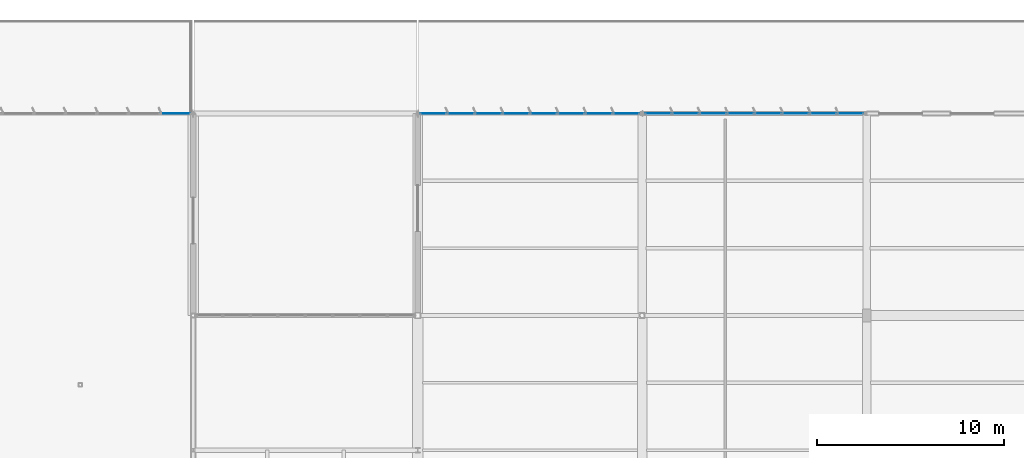
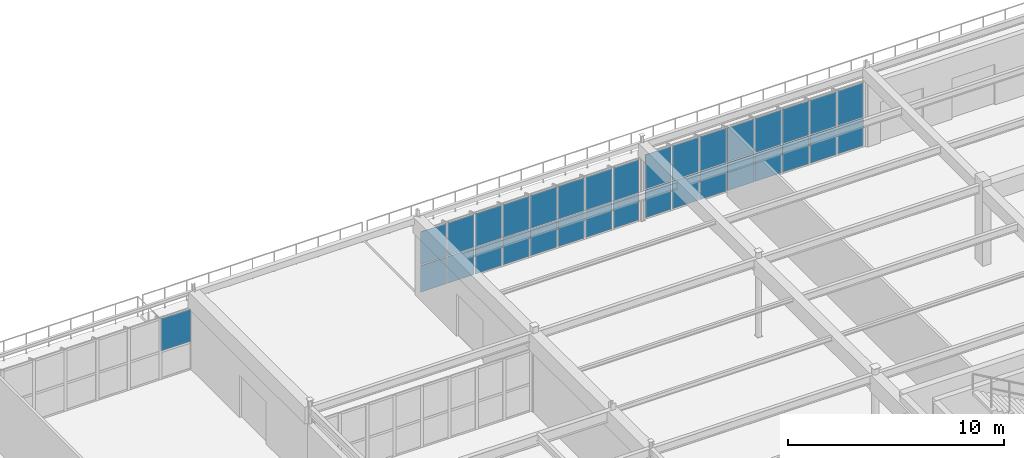
# One storey, part 129 of 199: 33 plates, 3 elements without a shape of their own.
"""IFC4 building model written with IfcOpenShell, lengths in metres."""

from ifc_helpers import new_model, si_unit, direction, frame, origin, origin_2d, place, context, subcontext, project, spatial, rectangle, extrude, material, layer, layer_set, type_object, element, aggregate, save


model = new_model("IFC4")

# Units and contexts
model_context = context("Model", 3, precision=1e-05, world=origin(), true_north=direction((0.0, 1.0)))
body_context = subcontext(model_context, "Body", "Model", "MODEL_VIEW")
ifc_project = project(units=[si_unit("LENGTHUNIT", "METRE"), si_unit("AREAUNIT", "SQUARE_METRE"), si_unit("VOLUMEUNIT", "CUBIC_METRE"), si_unit("PLANEANGLEUNIT", "RADIAN"), si_unit("MASSUNIT", "GRAM", prefix="KILO")], contexts=[model_context])

# Site, building, storey
site_placement = place(None, origin())
site = spatial("IfcSite", under=ifc_project, at=site_placement, CompositionType="ELEMENT")
building_placement = place(site_placement, origin())
building = spatial("IfcBuilding", under=site, at=building_placement, Name="Tarnwether General Hospital", CompositionType="ELEMENT")
storey_placement = place(building_placement, origin())
storey = spatial("IfcBuildingStorey", under=building, at=storey_placement, Name="L00", CompositionType="ELEMENT", Elevation=0.0)

# Curtain wall, plate
ifc_material_1 = material(Name="Anodised aluminium", Category="aluminium")
ifc_layer_1 = layer(ifc_material_1, 0.159912109375)
ifc_layer_set_1 = layer_set([ifc_layer_1], Name="Anodised aluminium")
curtain_wall_type_1 = type_object("IfcCurtainWallType", Name="CW-14", PredefinedType="NOTDEFINED", material=ifc_layer_set_1)
curtain_wall_1_placement = place(storey_placement, origin())
curtain_wall_1 = element("IfcCurtainWall", 1, at=curtain_wall_1_placement, inside=storey, type_object=curtain_wall_type_1, Name="Curtain Wall CWG-L00-1201_1260-0277", PredefinedType="NOTDEFINED")
ifc_material_2 = material(Name="Double glazed low-E glass", Category="glass")
ifc_layer_2 = layer(ifc_material_2, 0.028076171875)
ifc_layer_set_2 = layer_set([ifc_layer_2], Name="Double glazed low-E glass")
plate_type = type_object("IfcPlateType", Name="PT-CWP1", PredefinedType="CURTAIN_PANEL", material=ifc_layer_set_2)
plate_1_placement = place(storey_placement, frame((131.052978515625, 126.0, 1.59619140625), z_axis=(0.0, 0.0, 1.0), x_axis=(1.0, 0.0, 0.0)))
plate_1 = element("IfcPlate", 2, at=plate_1_placement, type_object=plate_type, Name="CW-14 panel 7.2", PredefinedType="CURTAIN_PANEL", context=body_context, shape_type="SweptSolid", body=[
    extrude(rectangle(XDim=1.60009765625, YDim=0.028076171875, at=origin_2d()), origin(), (0.0, 0.0, 1.0), 1.823974609375),
])
aggregate(curtain_wall_1, [plate_1])

# Curtain wall, plates
ifc_material_3 = material(Name="Anodised aluminium", Category="aluminium")
ifc_layer_3 = layer(ifc_material_3, 0.159912109375)
ifc_layer_set_3 = layer_set([ifc_layer_3], Name="Anodised aluminium")
curtain_wall_type_2 = type_object("IfcCurtainWallType", Name="CW-16", PredefinedType="NOTDEFINED", material=ifc_layer_set_3)
curtain_wall_2_placement = place(storey_placement, origin())
curtain_wall_2 = element("IfcCurtainWall", 3, at=curtain_wall_2_placement, inside=storey, type_object=curtain_wall_type_2, Name="Curtain Wall CWG-L00-1441_1260-0278", PredefinedType="NOTDEFINED")
plate_2_placement = place(storey_placement, frame((144.837158203125, 126.0, 0.06005859375), z_axis=(0.0, 0.0, 1.0), x_axis=(1.0, 0.0, 0.0)))
plate_2 = element("IfcPlate", 4, at=plate_2_placement, type_object=plate_type, Name="CW-16 panel 1.1", PredefinedType="CURTAIN_PANEL", context=body_context, shape_type="SweptSolid", body=[
    extrude(rectangle(XDim=1.386474609375, YDim=0.028076171875, at=origin_2d()), origin(), (0.0, 0.0, 1.0), 1.49853515625),
])
plate_3_placement = place(storey_placement, frame((144.837158203125, 126.0, 1.618408203125), z_axis=(0.0, 0.0, 1.0), x_axis=(1.0, 0.0, 0.0)))
plate_3 = element("IfcPlate", 5, at=plate_3_placement, type_object=plate_type, Name="CW-16 panel 1.2", PredefinedType="CURTAIN_PANEL", context=body_context, shape_type="SweptSolid", body=[
    extrude(rectangle(XDim=1.386474609375, YDim=0.028076171875, at=origin_2d()), origin(), (0.0, 0.0, 1.0), 1.8515625),
])
plate_4_placement = place(storey_placement, frame((146.298583984375, 126.0, 0.06005859375), z_axis=(0.0, 0.0, 1.0), x_axis=(1.0, 0.0, 0.0)))
plate_4 = element("IfcPlate", 6, at=plate_4_placement, type_object=plate_type, Name="CW-16 panel 2.1", PredefinedType="CURTAIN_PANEL", context=body_context, shape_type="SweptSolid", body=[
    extrude(rectangle(XDim=1.416259765625, YDim=0.028076171875, at=origin_2d()), origin(), (0.0, 0.0, 1.0), 1.49853515625),
])
plate_5_placement = place(storey_placement, frame((146.298583984375, 126.0, 1.618408203125), z_axis=(0.0, 0.0, 1.0), x_axis=(1.0, 0.0, 0.0)))
plate_5 = element("IfcPlate", 7, at=plate_5_placement, type_object=plate_type, Name="CW-16 panel 2.2", PredefinedType="CURTAIN_PANEL", context=body_context, shape_type="SweptSolid", body=[
    extrude(rectangle(XDim=1.416259765625, YDim=0.028076171875, at=origin_2d()), origin(), (0.0, 0.0, 1.0), 1.8515625),
])
plate_6_placement = place(storey_placement, frame((147.77490234375, 126.0, 0.06005859375), z_axis=(0.0, 0.0, 1.0), x_axis=(1.0, 0.0, 0.0)))
plate_6 = element("IfcPlate", 8, at=plate_6_placement, type_object=plate_type, Name="CW-16 panel 3.1", PredefinedType="CURTAIN_PANEL", context=body_context, shape_type="SweptSolid", body=[
    extrude(rectangle(XDim=1.416259765625, YDim=0.028076171875, at=origin_2d()), origin(), (0.0, 0.0, 1.0), 1.49853515625),
])
plate_7_placement = place(storey_placement, frame((147.77490234375, 126.0, 1.618408203125), z_axis=(0.0, 0.0, 1.0), x_axis=(1.0, 0.0, 0.0)))
plate_7 = element("IfcPlate", 9, at=plate_7_placement, type_object=plate_type, Name="CW-16 panel 3.2", PredefinedType="CURTAIN_PANEL", context=body_context, shape_type="SweptSolid", body=[
    extrude(rectangle(XDim=1.416259765625, YDim=0.028076171875, at=origin_2d()), origin(), (0.0, 0.0, 1.0), 1.8515625),
])
plate_8_placement = place(storey_placement, frame((149.251220703125, 126.0, 0.06005859375), z_axis=(0.0, 0.0, 1.0), x_axis=(1.0, 0.0, 0.0)))
plate_8 = element("IfcPlate", 10, at=plate_8_placement, type_object=plate_type, Name="CW-16 panel 4.1", PredefinedType="CURTAIN_PANEL", context=body_context, shape_type="SweptSolid", body=[
    extrude(rectangle(XDim=1.416259765625, YDim=0.028076171875, at=origin_2d()), origin(), (0.0, 0.0, 1.0), 1.49853515625),
])
plate_9_placement = place(storey_placement, frame((149.251220703125, 126.0, 1.618408203125), z_axis=(0.0, 0.0, 1.0), x_axis=(1.0, 0.0, 0.0)))
plate_9 = element("IfcPlate", 11, at=plate_9_placement, type_object=plate_type, Name="CW-16 panel 4.2", PredefinedType="CURTAIN_PANEL", context=body_context, shape_type="SweptSolid", body=[
    extrude(rectangle(XDim=1.416259765625, YDim=0.028076171875, at=origin_2d()), origin(), (0.0, 0.0, 1.0), 1.8515625),
])
plate_10_placement = place(storey_placement, frame((150.727783203125, 126.0, 0.06005859375), z_axis=(0.0, 0.0, 1.0), x_axis=(1.0, 0.0, 0.0)))
plate_10 = element("IfcPlate", 12, at=plate_10_placement, type_object=plate_type, Name="CW-16 panel 5.1", PredefinedType="CURTAIN_PANEL", context=body_context, shape_type="SweptSolid", body=[
    extrude(rectangle(XDim=1.416259765625, YDim=0.028076171875, at=origin_2d()), origin(), (0.0, 0.0, 1.0), 1.49853515625),
])
plate_11_placement = place(storey_placement, frame((150.727783203125, 126.0, 1.618408203125), z_axis=(0.0, 0.0, 1.0), x_axis=(1.0, 0.0, 0.0)))
plate_11 = element("IfcPlate", 13, at=plate_11_placement, type_object=plate_type, Name="CW-16 panel 5.2", PredefinedType="CURTAIN_PANEL", context=body_context, shape_type="SweptSolid", body=[
    extrude(rectangle(XDim=1.416259765625, YDim=0.028076171875, at=origin_2d()), origin(), (0.0, 0.0, 1.0), 1.8515625),
])
plate_12_placement = place(storey_placement, frame((152.2041015625, 126.0, 0.06005859375), z_axis=(0.0, 0.0, 1.0), x_axis=(1.0, 0.0, 0.0)))
plate_12 = element("IfcPlate", 14, at=plate_12_placement, type_object=plate_type, Name="CW-16 panel 6.1", PredefinedType="CURTAIN_PANEL", context=body_context, shape_type="SweptSolid", body=[
    extrude(rectangle(XDim=1.416259765625, YDim=0.028076171875, at=origin_2d()), origin(), (0.0, 0.0, 1.0), 1.49853515625),
])
plate_13_placement = place(storey_placement, frame((152.2041015625, 126.0, 1.618408203125), z_axis=(0.0, 0.0, 1.0), x_axis=(1.0, 0.0, 0.0)))
plate_13 = element("IfcPlate", 15, at=plate_13_placement, type_object=plate_type, Name="CW-16 panel 6.2", PredefinedType="CURTAIN_PANEL", context=body_context, shape_type="SweptSolid", body=[
    extrude(rectangle(XDim=1.416259765625, YDim=0.028076171875, at=origin_2d()), origin(), (0.0, 0.0, 1.0), 1.8515625),
])
plate_14_placement = place(storey_placement, frame((153.680419921875, 126.0, 0.06005859375), z_axis=(0.0, 0.0, 1.0), x_axis=(1.0, 0.0, 0.0)))
plate_14 = element("IfcPlate", 16, at=plate_14_placement, type_object=plate_type, Name="CW-16 panel 7.1", PredefinedType="CURTAIN_PANEL", context=body_context, shape_type="SweptSolid", body=[
    extrude(rectangle(XDim=1.416259765625, YDim=0.028076171875, at=origin_2d()), origin(), (0.0, 0.0, 1.0), 1.49853515625),
])
plate_15_placement = place(storey_placement, frame((153.680419921875, 126.0, 1.618408203125), z_axis=(0.0, 0.0, 1.0), x_axis=(1.0, 0.0, 0.0)))
plate_15 = element("IfcPlate", 17, at=plate_15_placement, type_object=plate_type, Name="CW-16 panel 7.2", PredefinedType="CURTAIN_PANEL", context=body_context, shape_type="SweptSolid", body=[
    extrude(rectangle(XDim=1.416259765625, YDim=0.028076171875, at=origin_2d()), origin(), (0.0, 0.0, 1.0), 1.8515625),
])
plate_16_placement = place(storey_placement, frame((155.141845703125, 126.0, 0.06005859375), z_axis=(0.0, 0.0, 1.0), x_axis=(1.0, 0.0, 0.0)))
plate_16 = element("IfcPlate", 18, at=plate_16_placement, type_object=plate_type, Name="CW-16 panel 8.1", PredefinedType="CURTAIN_PANEL", context=body_context, shape_type="SweptSolid", body=[
    extrude(rectangle(XDim=1.386474609375, YDim=0.028076171875, at=origin_2d()), origin(), (0.0, 0.0, 1.0), 1.49853515625),
])
plate_17_placement = place(storey_placement, frame((155.141845703125, 126.0, 1.618408203125), z_axis=(0.0, 0.0, 1.0), x_axis=(1.0, 0.0, 0.0)))
plate_17 = element("IfcPlate", 19, at=plate_17_placement, type_object=plate_type, Name="CW-16 panel 8.2", PredefinedType="CURTAIN_PANEL", context=body_context, shape_type="SweptSolid", body=[
    extrude(rectangle(XDim=1.386474609375, YDim=0.028076171875, at=origin_2d()), origin(), (0.0, 0.0, 1.0), 1.8515625),
])
aggregate(curtain_wall_2, [plate_2, plate_3, plate_4, plate_5, plate_6, plate_7, plate_8, plate_9, plate_10, plate_11, plate_12, plate_13, plate_14, plate_15, plate_16, plate_17])

curtain_wall_3_placement = place(storey_placement, origin())
curtain_wall_3 = element("IfcCurtainWall", 20, at=curtain_wall_3_placement, inside=storey, type_object=curtain_wall_type_2, Name="Curtain Wall CWG-L00-1561_1260-0279", PredefinedType="NOTDEFINED")
plate_18_placement = place(storey_placement, frame((156.856689453125, 126.0, 0.06005859375), z_axis=(0.0, 0.0, 1.0), x_axis=(1.0, 0.0, 0.0)))
plate_18 = element("IfcPlate", 21, at=plate_18_placement, type_object=plate_type, Name="CW-16 panel 1.1", PredefinedType="CURTAIN_PANEL", context=body_context, shape_type="SweptSolid", body=[
    extrude(rectangle(XDim=1.38330078125, YDim=0.028076171875, at=origin_2d()), origin(), (0.0, 0.0, 1.0), 1.56591796875),
])
plate_19_placement = place(storey_placement, frame((156.856689453125, 126.0, 1.68603515625), z_axis=(0.0, 0.0, 1.0), x_axis=(1.0, 0.0, 0.0)))
plate_19 = element("IfcPlate", 22, at=plate_19_placement, type_object=plate_type, Name="CW-16 panel 1.2", PredefinedType="CURTAIN_PANEL", context=body_context, shape_type="SweptSolid", body=[
    extrude(rectangle(XDim=1.38330078125, YDim=0.028076171875, at=origin_2d()), origin(), (0.0, 0.0, 1.0), 1.93408203125),
])
plate_20_placement = place(storey_placement, frame((158.31494140625, 126.0, 0.06005859375), z_axis=(0.0, 0.0, 1.0), x_axis=(1.0, 0.0, 0.0)))
plate_20 = element("IfcPlate", 23, at=plate_20_placement, type_object=plate_type, Name="CW-16 panel 2.1", PredefinedType="CURTAIN_PANEL", context=body_context, shape_type="SweptSolid", body=[
    extrude(rectangle(XDim=1.413330078125, YDim=0.028076171875, at=origin_2d()), origin(), (0.0, 0.0, 1.0), 1.56591796875),
])
plate_21_placement = place(storey_placement, frame((158.31494140625, 126.0, 1.68603515625), z_axis=(0.0, 0.0, 1.0), x_axis=(1.0, 0.0, 0.0)))
plate_21 = element("IfcPlate", 24, at=plate_21_placement, type_object=plate_type, Name="CW-16 panel 2.2", PredefinedType="CURTAIN_PANEL", context=body_context, shape_type="SweptSolid", body=[
    extrude(rectangle(XDim=1.413330078125, YDim=0.028076171875, at=origin_2d()), origin(), (0.0, 0.0, 1.0), 1.93408203125),
])
plate_22_placement = place(storey_placement, frame((159.7880859375, 126.0, 0.06005859375), z_axis=(0.0, 0.0, 1.0), x_axis=(1.0, 0.0, 0.0)))
plate_22 = element("IfcPlate", 25, at=plate_22_placement, type_object=plate_type, Name="CW-16 panel 3.1", PredefinedType="CURTAIN_PANEL", context=body_context, shape_type="SweptSolid", body=[
    extrude(rectangle(XDim=1.413330078125, YDim=0.028076171875, at=origin_2d()), origin(), (0.0, 0.0, 1.0), 1.56591796875),
])
plate_23_placement = place(storey_placement, frame((159.7880859375, 126.0, 1.68603515625), z_axis=(0.0, 0.0, 1.0), x_axis=(1.0, 0.0, 0.0)))
plate_23 = element("IfcPlate", 26, at=plate_23_placement, type_object=plate_type, Name="CW-16 panel 3.2", PredefinedType="CURTAIN_PANEL", context=body_context, shape_type="SweptSolid", body=[
    extrude(rectangle(XDim=1.413330078125, YDim=0.028076171875, at=origin_2d()), origin(), (0.0, 0.0, 1.0), 1.93408203125),
])
plate_24_placement = place(storey_placement, frame((161.261474609375, 126.0, 0.06005859375), z_axis=(0.0, 0.0, 1.0), x_axis=(1.0, 0.0, 0.0)))
plate_24 = element("IfcPlate", 27, at=plate_24_placement, type_object=plate_type, Name="CW-16 panel 4.1", PredefinedType="CURTAIN_PANEL", context=body_context, shape_type="SweptSolid", body=[
    extrude(rectangle(XDim=1.413330078125, YDim=0.028076171875, at=origin_2d()), origin(), (0.0, 0.0, 1.0), 1.56591796875),
])
plate_25_placement = place(storey_placement, frame((161.261474609375, 126.0, 1.68603515625), z_axis=(0.0, 0.0, 1.0), x_axis=(1.0, 0.0, 0.0)))
plate_25 = element("IfcPlate", 28, at=plate_25_placement, type_object=plate_type, Name="CW-16 panel 4.2", PredefinedType="CURTAIN_PANEL", context=body_context, shape_type="SweptSolid", body=[
    extrude(rectangle(XDim=1.413330078125, YDim=0.028076171875, at=origin_2d()), origin(), (0.0, 0.0, 1.0), 1.93408203125),
])
plate_26_placement = place(storey_placement, frame((162.734619140625, 126.0, 0.06005859375), z_axis=(0.0, 0.0, 1.0), x_axis=(1.0, 0.0, 0.0)))
plate_26 = element("IfcPlate", 29, at=plate_26_placement, type_object=plate_type, Name="CW-16 panel 5.1", PredefinedType="CURTAIN_PANEL", context=body_context, shape_type="SweptSolid", body=[
    extrude(rectangle(XDim=1.413330078125, YDim=0.028076171875, at=origin_2d()), origin(), (0.0, 0.0, 1.0), 1.56591796875),
])
plate_27_placement = place(storey_placement, frame((162.734619140625, 126.0, 1.68603515625), z_axis=(0.0, 0.0, 1.0), x_axis=(1.0, 0.0, 0.0)))
plate_27 = element("IfcPlate", 30, at=plate_27_placement, type_object=plate_type, Name="CW-16 panel 5.2", PredefinedType="CURTAIN_PANEL", context=body_context, shape_type="SweptSolid", body=[
    extrude(rectangle(XDim=1.413330078125, YDim=0.028076171875, at=origin_2d()), origin(), (0.0, 0.0, 1.0), 1.93408203125),
])
plate_28_placement = place(storey_placement, frame((164.207763671875, 126.0, 0.06005859375), z_axis=(0.0, 0.0, 1.0), x_axis=(1.0, 0.0, 0.0)))
plate_28 = element("IfcPlate", 31, at=plate_28_placement, type_object=plate_type, Name="CW-16 panel 6.1", PredefinedType="CURTAIN_PANEL", context=body_context, shape_type="SweptSolid", body=[
    extrude(rectangle(XDim=1.413330078125, YDim=0.028076171875, at=origin_2d()), origin(), (0.0, 0.0, 1.0), 1.56591796875),
])
plate_29_placement = place(storey_placement, frame((164.207763671875, 126.0, 1.68603515625), z_axis=(0.0, 0.0, 1.0), x_axis=(1.0, 0.0, 0.0)))
plate_29 = element("IfcPlate", 32, at=plate_29_placement, type_object=plate_type, Name="CW-16 panel 6.2", PredefinedType="CURTAIN_PANEL", context=body_context, shape_type="SweptSolid", body=[
    extrude(rectangle(XDim=1.413330078125, YDim=0.028076171875, at=origin_2d()), origin(), (0.0, 0.0, 1.0), 1.93408203125),
])
plate_30_placement = place(storey_placement, frame((165.68115234375, 126.0, 0.06005859375), z_axis=(0.0, 0.0, 1.0), x_axis=(1.0, 0.0, 0.0)))
plate_30 = element("IfcPlate", 33, at=plate_30_placement, type_object=plate_type, Name="CW-16 panel 7.1", PredefinedType="CURTAIN_PANEL", context=body_context, shape_type="SweptSolid", body=[
    extrude(rectangle(XDim=1.413330078125, YDim=0.028076171875, at=origin_2d()), origin(), (0.0, 0.0, 1.0), 1.56591796875),
])
plate_31_placement = place(storey_placement, frame((165.68115234375, 126.0, 1.68603515625), z_axis=(0.0, 0.0, 1.0), x_axis=(1.0, 0.0, 0.0)))
plate_31 = element("IfcPlate", 34, at=plate_31_placement, type_object=plate_type, Name="CW-16 panel 7.2", PredefinedType="CURTAIN_PANEL", context=body_context, shape_type="SweptSolid", body=[
    extrude(rectangle(XDim=1.413330078125, YDim=0.028076171875, at=origin_2d()), origin(), (0.0, 0.0, 1.0), 1.93408203125),
])
plate_32_placement = place(storey_placement, frame((167.139404296875, 126.0, 0.06005859375), z_axis=(0.0, 0.0, 1.0), x_axis=(1.0, 0.0, 0.0)))
plate_32 = element("IfcPlate", 35, at=plate_32_placement, type_object=plate_type, Name="CW-16 panel 8.1", PredefinedType="CURTAIN_PANEL", context=body_context, shape_type="SweptSolid", body=[
    extrude(rectangle(XDim=1.38330078125, YDim=0.028076171875, at=origin_2d()), origin(), (0.0, 0.0, 1.0), 1.56591796875),
])
plate_33_placement = place(storey_placement, frame((167.139404296875, 126.0, 1.68603515625), z_axis=(0.0, 0.0, 1.0), x_axis=(1.0, 0.0, 0.0)))
plate_33 = element("IfcPlate", 36, at=plate_33_placement, type_object=plate_type, Name="CW-16 panel 8.2", PredefinedType="CURTAIN_PANEL", context=body_context, shape_type="SweptSolid", body=[
    extrude(rectangle(XDim=1.38330078125, YDim=0.028076171875, at=origin_2d()), origin(), (0.0, 0.0, 1.0), 1.93408203125),
])
aggregate(curtain_wall_3, [plate_18, plate_19, plate_20, plate_21, plate_22, plate_23, plate_24, plate_25, plate_26, plate_27, plate_28, plate_29, plate_30, plate_31, plate_32, plate_33])

save(model, "model.ifc")
